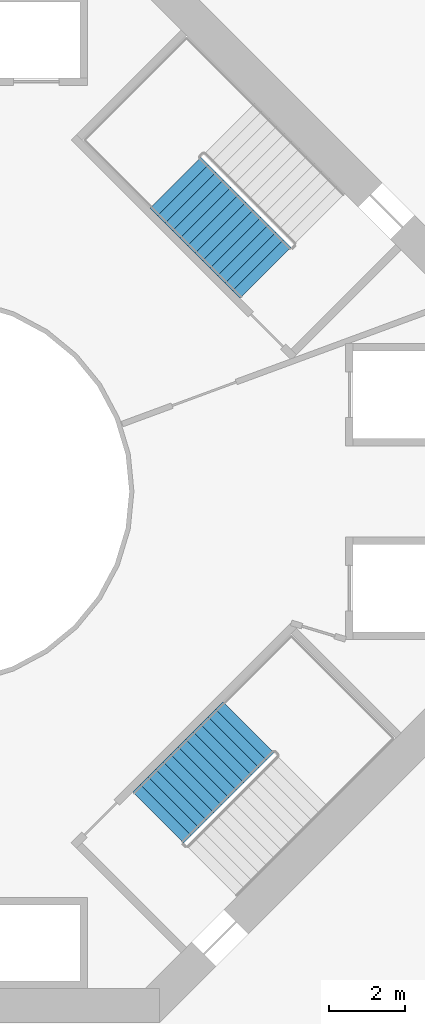
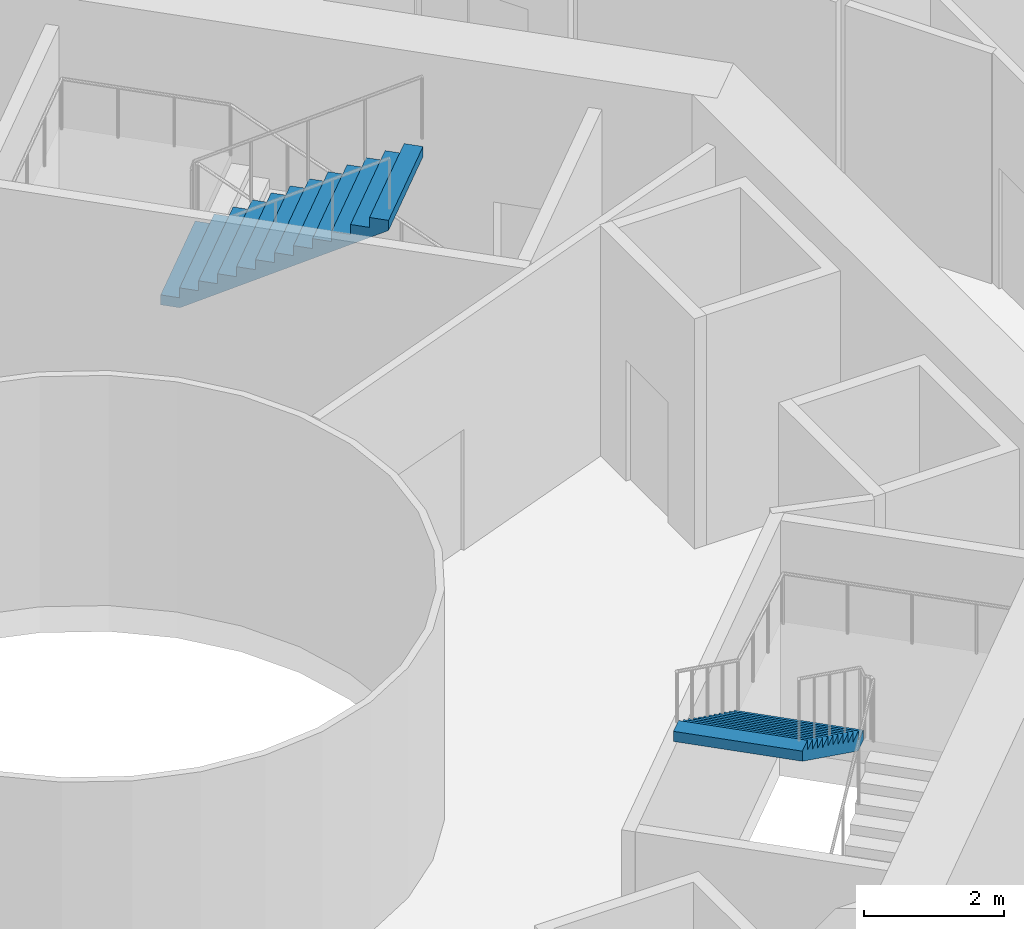
# One storey, part 11 of 20: 2 stair flights, 2 elements without a shape of their own.
"""IFC4 building model written with IfcOpenShell, lengths in metres."""

import ifcopenshell
import ifcopenshell.guid

model = None  # the IFC model being written
_history = None  # IfcOwnerHistory: only IFC2X3 demands one
_inside = {}  # id of a spatial element -> (the spatial element, [elements in it])
_under = {}  # id of a project, library or spatial element -> (it, [spatial elements below it])
_declared = {}  # id of a project -> (the project, [libraries it declares])
_typed = {}  # id of a type object -> (the type object, [elements of that type])
_made_of = {}  # id of a material, layer set ... -> (it, [elements and type objects made of it])


def new_model(schema):
    """Start an empty IFC model of exactly this schema.

    Asked for "IFC4X3", IfcOpenShell would pick the latest addendum, in which some entities
    have other attributes; the version numbers below select the first issue.
    IFC2X3 requires an IfcOwnerHistory on every rooted entity: one is made here for all.
    """
    global model, _history
    if schema == "IFC4X3":
        model = ifcopenshell.file(schema_version=(4, 3, 0, 0))
    else:
        model = ifcopenshell.file(schema=schema)
    _inside.clear()
    _under.clear()
    _declared.clear()
    _typed.clear()
    _made_of.clear()
    _history = None
    if model.schema == "IFC2X3":
        org = make("IfcOrganization", Name="unknown")
        user = make(
            "IfcPersonAndOrganization",
            ThePerson=make("IfcPerson", FamilyName="unknown"),
            TheOrganization=org,
        )
        app = make(
            "IfcApplication",
            ApplicationDeveloper=org,
            Version="unknown",
            ApplicationFullName="unknown",
            ApplicationIdentifier="unknown",
        )
        _history = make(
            "IfcOwnerHistory",
            OwningUser=user,
            OwningApplication=app,
            ChangeAction="ADDED",
            CreationDate=0,
        )
    return model


def make(cls, **values):
    """One entity of the class cls with the attributes given. An attribute that is None is left unset."""
    return model.create_entity(
        cls, **{name: value for name, value in values.items() if value is not None}
    )


def rooted(cls, **values):
    """An entity with a GlobalId (a new one), such as an element, a storey or a relation."""
    return make(cls, GlobalId=ifcopenshell.guid.new(), OwnerHistory=_history, **values)


def si_unit(unit_type, name, prefix=None):
    """IfcSIUnit, for example si_unit("LENGTHUNIT", "METRE", prefix="MILLI")."""
    return make("IfcSIUnit", UnitType=unit_type, Prefix=prefix, Name=name)


def assignment(units):
    """IfcUnitAssignment: the units of a project."""
    return None if units is None else make("IfcUnitAssignment", Units=units)


def point(xyz):
    """IfcCartesianPoint."""
    return None if xyz is None else make("IfcCartesianPoint", Coordinates=xyz)


def direction(xyz):
    """IfcDirection."""
    return None if xyz is None else make("IfcDirection", DirectionRatios=xyz)


def frame(location, z_axis=None, x_axis=None):
    """IfcAxis2Placement3D, a coordinate frame: its origin and axes. An axis left out is left unset."""
    return make(
        "IfcAxis2Placement3D",
        Location=point(location),
        Axis=direction(z_axis),
        RefDirection=direction(x_axis),
    )


def origin():
    """The frame at (0, 0, 0) with its axes left unset."""
    return frame((0.0, 0.0, 0.0))


def place(relative_to, where):
    """IfcLocalPlacement: puts the frame where relative to a parent placement (None: the world)."""
    return make(
        "IfcLocalPlacement", PlacementRelTo=relative_to, RelativePlacement=where
    )


def context(
    kind, dimensions, precision=None, world=None, true_north=None, identifier=None
):
    """IfcGeometricRepresentationContext, for example the 3D "Model" context."""
    return make(
        "IfcGeometricRepresentationContext",
        ContextIdentifier=identifier,
        ContextType=kind,
        CoordinateSpaceDimension=dimensions,
        Precision=precision,
        WorldCoordinateSystem=world,
        TrueNorth=true_north,
    )


def subcontext(parent, identifier, kind, view, scale=None):
    """IfcGeometricRepresentationSubContext, for example "Body" below "Model"."""
    return make(
        "IfcGeometricRepresentationSubContext",
        ContextIdentifier=identifier,
        ContextType=kind,
        ParentContext=parent,
        TargetScale=scale,
        TargetView=view,
    )


def project(units=None, contexts=None):
    """IfcProject with its units and contexts."""
    return rooted(
        "IfcProject",
        Name="project",
        RepresentationContexts=contexts,
        UnitsInContext=assignment(units),
    )


def spatial(cls, under=None, at=None, **own):
    """A site, building, storey or space (cls), placed at a placement, below another one or the project."""
    s = rooted(cls, ObjectPlacement=at, **own)
    if under is not None:
        _under.setdefault(under.id(), (under, []))[1].append(s)
    return s


def point_list(points):
    """IfcCartesianPointList2D or 3D."""
    cls = (
        "IfcCartesianPointList2D" if len(points[0]) == 2 else "IfcCartesianPointList3D"
    )
    return make(cls, CoordList=points)


def triangles(points, corners, closed=None, point_numbers=None):
    """IfcTriangulatedFaceSet: each triangle names its three corners, points numbered from 1."""
    return make(
        "IfcTriangulatedFaceSet",
        Coordinates=point_list(points),
        Closed=closed,
        CoordIndex=corners,
        PnIndex=point_numbers,
    )


def shape(context_of_items, identifier, shape_type, items):
    """IfcShapeRepresentation: the items that make up one representation, for example the "Body"."""
    return make(
        "IfcShapeRepresentation",
        ContextOfItems=context_of_items,
        RepresentationIdentifier=identifier,
        RepresentationType=shape_type,
        Items=items,
    )


def material(Name=None, Category=None):
    """IfcMaterial."""
    return make("IfcMaterial", Name=Name, Category=Category)


def made_of(thing, what):
    """Note that an element or type object is made of a material, layer set ...; save() writes the relation."""
    if what is not None:
        _made_of.setdefault(what.id(), (what, []))[1].append(thing)
    return thing


def type_object(cls, material=None, **own):
    """A type object (cls), such as IfcWallType, which elements share."""
    return made_of(rooted(cls, **own), material)


def element(
    cls,
    number,
    at=None,
    inside=None,
    cuts=None,
    type_object=None,
    material=None,
    context=None,
    identifier="Body",
    shape_type=None,
    held_by="IfcProductDefinitionShape",
    body=None,
    shapes=None,
    **own,
):
    """One element of the class cls, such as IfcWall. Its Tag is "e" and its number.

    at: its placement. inside: the storey or other place that contains it. cuts: it is an
    opening in that element (IfcRelVoidsElement). A single representation is given by context,
    identifier, shape_type and body (its items); several are given by shapes. held_by: the class
    of the entity that holds the representations. save() writes the other relations.
    """
    e = rooted(cls, Tag="e%d" % number, ObjectPlacement=at, **own)
    if body is not None:
        shapes = [shape(context, identifier, shape_type, body)]
    if shapes is not None:
        e.Representation = make(held_by, Representations=shapes)
    if inside is not None:
        _inside.setdefault(inside.id(), (inside, []))[1].append(e)
    if cuts is not None:
        rooted(
            "IfcRelVoidsElement", RelatingBuildingElement=cuts, RelatedOpeningElement=e
        )
    if type_object is not None:
        _typed.setdefault(type_object.id(), (type_object, []))[1].append(e)
    return made_of(e, material)


def aggregate(whole, parts):
    """IfcRelAggregates: a whole, such as a stair, and the parts it consists of."""
    return rooted("IfcRelAggregates", RelatingObject=whole, RelatedObjects=parts)


def save(model, path):
    """Write the relations noted so far, then the file.

    IfcRelAggregates (storeys below a building ...), IfcRelContainedInSpatialStructure (elements
    in a storey), IfcRelDefinesByType, IfcRelAssociatesMaterial and IfcRelDeclares: one each for
    every whole, place, type object, material and project.
    """
    for whole, parts in _under.values():
        aggregate(whole, parts)
    for where, things in _inside.values():
        rooted(
            "IfcRelContainedInSpatialStructure",
            RelatedElements=things,
            RelatingStructure=where,
        )
    for kind, things in _typed.values():
        rooted("IfcRelDefinesByType", RelatedObjects=things, RelatingType=kind)
    for what, things in _made_of.values():
        rooted("IfcRelAssociatesMaterial", RelatedObjects=things, RelatingMaterial=what)
    for by, libraries in _declared.values():
        rooted("IfcRelDeclares", RelatingContext=by, RelatedDefinitions=libraries)
    model.write(path)


model = new_model("IFC4")

# Units and contexts
model_context = context("Model", 3, precision=1e-05, world=origin(), true_north=direction((0.0, 1.0)))
body_context = subcontext(model_context, "Body", "Model", "MODEL_VIEW")
ifc_project = project(units=[si_unit("LENGTHUNIT", "METRE"), si_unit("AREAUNIT", "SQUARE_METRE"), si_unit("VOLUMEUNIT", "CUBIC_METRE"), si_unit("PLANEANGLEUNIT", "RADIAN"), si_unit("MASSUNIT", "GRAM", prefix="KILO")], contexts=[model_context])

# Site, building, storey
site_placement = place(None, origin())
site = spatial("IfcSite", under=ifc_project, at=site_placement, CompositionType="ELEMENT")
building_placement = place(site_placement, origin())
building = spatial("IfcBuilding", under=site, at=building_placement, Name="Verdalira Terraces Hotel", CompositionType="ELEMENT")
storey_placement = place(building_placement, frame((0.0, 0.0, 23.5)))
storey = spatial("IfcBuildingStorey", under=building, at=storey_placement, Name="L04", CompositionType="ELEMENT", Elevation=23.5)

# Stair, stair flight
ifc_material_1 = material(Name="Concrete C40", Category="concrete")
stair_type = type_object("IfcStairType", Name="Core stair 26 risers 1900 mm wide", PredefinedType="HALF_TURN_STAIR", material=ifc_material_1)
stair_1_placement = place(storey_placement, origin())
stair_1 = element("IfcStair", 1, at=stair_1_placement, inside=storey, type_object=stair_type, Name="L04 Exit stair ST1", PredefinedType="HALF_TURN_STAIR")
ifc_material_2 = material(Name="Concrete C40", Category="concrete")
stair_flight_type = type_object("IfcStairFlightType", Name="Core stair flight 26 risers 1900 mm wide", PredefinedType="STRAIGHT", material=ifc_material_2)
stair_flight_1_placement = place(storey_placement, frame((6.215576, 8.138916, 2.25), z_axis=(0.0, 0.0, 1.0), x_axis=(0.707106781, -0.707106781, 0.0)))
stair_flight_1 = element("IfcStairFlight", 2, at=stair_flight_1_placement, type_object=stair_flight_type, Name="ST1 flight 2", NumberOfRisers=13, NumberOfTreads=12, PredefinedType="STRAIGHT", RiserHeight=0.173076923, TreadLength=0.28, context=body_context, shape_type="Tessellation", body=[
    triangles([(0.0, 0.949951, 0.0), (0.285156, 0.949951, 0.0), (3.360107, 0.949951, 1.900635), (0.0, -0.949951, 0.0), (0.285156, -0.949951, 0.0), (3.360107, -0.949951, 1.900635), (3.360107, 0.949951, 2.076904), (3.080078, 0.949951, 2.076904), (3.360107, -0.949951, 2.076904), (3.080078, -0.949951, 2.076904), (3.080078, 0.949951, 1.903809), (3.080078, -0.949951, 1.903809), (2.800049, 0.949951, 1.903809), (2.800049, -0.949951, 1.903809), (2.800049, 0.949951, 1.730713), (2.800049, -0.949951, 1.730713), (2.52002, 0.949951, 1.730713), (2.52002, 0.949951, 1.557617), (2.52002, -0.949951, 1.730713), (2.52002, -0.949951, 1.557617), (2.23999, 0.949951, 1.557617), (2.23999, 0.949951, 1.384521), (2.23999, -0.949951, 1.557617), (2.23999, -0.949951, 1.384521), (1.959961, 0.949951, 1.384521), (1.959961, 0.949951, 1.211426), (1.959961, -0.949951, 1.384521), (1.959961, -0.949951, 1.211426), (1.679932, 0.949951, 1.211426), (1.679932, 0.949951, 1.038574), (1.679932, -0.949951, 1.211426), (1.679932, -0.949951, 1.038574), (1.399902, 0.949951, 1.038574), (1.399902, 0.949951, 0.865479), (1.399902, -0.949951, 1.038574), (1.399902, -0.949951, 0.865479), (1.120117, 0.949951, 0.865479), (1.120117, 0.949951, 0.692383), (1.120117, -0.949951, 0.865479), (1.120117, -0.949951, 0.692383), (0.840088, 0.949951, 0.692383), (0.840088, 0.949951, 0.519287), (0.840088, -0.949951, 0.692383), (0.840088, -0.949951, 0.519287), (0.560059, 0.949951, 0.519287), (0.560059, 0.949951, 0.346191), (0.560059, -0.949951, 0.519287), (0.560059, -0.949951, 0.346191), (0.280029, 0.949951, 0.346191), (0.280029, 0.949951, 0.173096), (0.280029, -0.949951, 0.346191), (0.280029, -0.949951, 0.173096), (0.0, 0.949951, 0.173096), (0.0, -0.949951, 0.173096), (0.0, -0.890579, 0.0), (0.0, -0.890579, 0.173096), (0.0, -0.831207, 0.0), (0.0, -0.831207, 0.173096), (0.0, -0.771835, 0.0), (0.0, -0.771835, 0.173096), (0.0, -0.712463, 0.0), (0.0, -0.712463, 0.173096), (0.0, -0.653091, 0.0), (0.0, -0.653091, 0.173096), (0.0, -0.593719, 0.0), (0.0, -0.593719, 0.173096), (0.0, -0.534348, 0.0), (0.0, -0.534348, 0.173096), (0.0, -0.474976, 0.0), (0.0, -0.474976, 0.173096), (0.0, -0.415604, 0.0), (0.0, -0.415604, 0.173096), (0.0, -0.356232, 0.0), (0.0, -0.356232, 0.173096), (0.0, -0.29686, 0.0), (0.0, -0.29686, 0.173096), (0.0, -0.237488, 0.0), (0.0, -0.237488, 0.173096), (0.0, -0.178116, 0.0), (0.0, -0.178116, 0.173096), (0.0, -0.118744, 0.0), (0.0, -0.118744, 0.173096), (0.0, -0.059372, 0.0), (0.0, -0.059372, 0.173096), (0.0, 0.0, 0.0), (0.0, 0.0, 0.173096), (0.0, 0.059372, 0.0), (0.0, 0.059372, 0.173096), (0.0, 0.118744, 0.0), (0.0, 0.118744, 0.173096), (0.0, 0.178116, 0.0), (0.0, 0.178116, 0.173096), (0.0, 0.237488, 0.0), (0.0, 0.237488, 0.173096), (0.0, 0.29686, 0.0), (0.0, 0.29686, 0.173096), (0.0, 0.356232, 0.0), (0.0, 0.356232, 0.173096), (0.0, 0.415604, 0.0), (0.0, 0.415604, 0.173096), (0.0, 0.474976, 0.0), (0.0, 0.474976, 0.173096), (0.0, 0.534348, 0.0), (0.0, 0.534348, 0.173096), (0.0, 0.593719, 0.0), (0.0, 0.593719, 0.173096), (0.0, 0.653091, 0.0), (0.0, 0.653091, 0.173096), (0.0, 0.712463, 0.0), (0.0, 0.712463, 0.173096), (0.0, 0.771835, 0.0), (0.0, 0.771835, 0.173096), (0.0, 0.831207, 0.0), (0.0, 0.831207, 0.173096), (0.0, 0.890579, 0.0), (0.0, 0.890579, 0.173096), (3.360107, -0.890579, 2.076904), (3.360107, -0.831207, 2.076904), (3.360107, -0.771835, 2.076904), (3.360107, -0.712463, 2.076904), (3.360107, -0.653091, 2.076904), (3.360107, -0.593719, 2.076904), (3.360107, -0.534348, 2.076904), (3.360107, -0.474976, 2.076904), (3.360107, -0.415604, 2.076904), (3.360107, -0.356232, 2.076904), (3.360107, -0.29686, 2.076904), (3.360107, -0.237488, 2.076904), (3.360107, -0.178116, 2.076904), (3.360107, -0.118744, 2.076904), (3.360107, -0.059372, 2.076904), (3.360107, 0.0, 2.076904), (3.360107, 0.059372, 2.076904), (3.360107, 0.118744, 2.076904), (3.360107, 0.178116, 2.076904), (3.360107, 0.237488, 2.076904), (3.360107, 0.29686, 2.076904), (3.360107, 0.356232, 2.076904), (3.360107, 0.415604, 2.076904), (3.360107, 0.474976, 2.076904), (3.360107, 0.534348, 2.076904), (3.360107, 0.593719, 2.076904), (3.360107, 0.653091, 2.076904), (3.360107, 0.712463, 2.076904), (3.360107, 0.771835, 2.076904), (3.360107, 0.831207, 2.076904), (3.360107, 0.890579, 2.076904), (3.360107, -0.890579, 1.900635), (3.360107, -0.831207, 1.900635), (3.360107, -0.771835, 1.900635), (3.360107, -0.712463, 1.900635), (3.360107, -0.653091, 1.900635), (3.360107, -0.593719, 1.900635), (3.360107, -0.534348, 1.900635), (3.360107, -0.474976, 1.900635), (3.360107, -0.415604, 1.900635), (3.360107, -0.356232, 1.900635), (3.360107, -0.29686, 1.900635), (3.360107, -0.237488, 1.900635), (3.360107, -0.178116, 1.900635), (3.360107, -0.118744, 1.900635), (3.360107, -0.059372, 1.900635), (3.360107, 0.0, 1.900635), (3.360107, 0.059372, 1.900635), (3.360107, 0.118744, 1.900635), (3.360107, 0.178116, 1.900635), (3.360107, 0.237488, 1.900635), (3.360107, 0.29686, 1.900635), (3.360107, 0.356232, 1.900635), (3.360107, 0.415604, 1.900635), (3.360107, 0.474976, 1.900635), (3.360107, 0.534348, 1.900635), (3.360107, 0.593719, 1.900635), (3.360107, 0.653091, 1.900635), (3.360107, 0.712463, 1.900635), (3.360107, 0.771835, 1.900635), (3.360107, 0.831207, 1.900635), (3.360107, 0.890579, 1.900635)], [[1, 3, 2], [4, 5, 6], [3, 8, 7], [6, 9, 10], [3, 11, 8], [6, 10, 12], [3, 13, 11], [6, 12, 14], [3, 15, 13], [6, 14, 16], [15, 18, 17], [16, 19, 20], [3, 18, 15], [6, 16, 20], [18, 22, 21], [20, 23, 24], [3, 22, 18], [6, 20, 24], [22, 26, 25], [24, 27, 28], [3, 26, 22], [6, 24, 28], [1, 26, 3], [4, 6, 28], [26, 30, 29], [28, 31, 32], [30, 34, 33], [32, 35, 36], [26, 34, 30], [28, 32, 36], [34, 38, 37], [36, 39, 40], [26, 38, 34], [28, 36, 40], [38, 42, 41], [40, 43, 44], [26, 42, 38], [28, 40, 44], [42, 46, 45], [44, 47, 48], [26, 46, 42], [28, 44, 48], [46, 50, 49], [48, 51, 52], [26, 50, 46], [28, 48, 52], [1, 50, 26], [4, 28, 52], [50, 1, 53], [52, 54, 4], [4, 56, 55], [4, 54, 56], [55, 58, 57], [55, 56, 58], [57, 60, 59], [57, 58, 60], [59, 62, 61], [59, 60, 62], [61, 64, 63], [61, 62, 64], [63, 66, 65], [63, 64, 66], [65, 68, 67], [65, 66, 68], [67, 70, 69], [67, 68, 70], [69, 72, 71], [69, 70, 72], [71, 74, 73], [71, 72, 74], [73, 76, 75], [73, 74, 76], [75, 78, 77], [75, 76, 78], [77, 80, 79], [77, 78, 80], [79, 82, 81], [79, 80, 82], [81, 84, 83], [81, 82, 84], [83, 86, 85], [83, 84, 86], [85, 88, 87], [85, 86, 88], [87, 90, 89], [87, 88, 90], [89, 92, 91], [89, 90, 92], [91, 94, 93], [91, 92, 94], [93, 96, 95], [93, 94, 96], [95, 98, 97], [95, 96, 98], [97, 100, 99], [97, 98, 100], [99, 102, 101], [99, 100, 102], [101, 104, 103], [101, 102, 104], [103, 106, 105], [103, 104, 106], [105, 108, 107], [105, 106, 108], [107, 110, 109], [107, 108, 110], [109, 112, 111], [109, 110, 112], [111, 114, 113], [111, 112, 114], [113, 116, 115], [113, 114, 116], [115, 53, 1], [115, 116, 53], [54, 52, 56], [56, 52, 58], [58, 52, 60], [60, 52, 62], [62, 52, 64], [64, 52, 66], [66, 52, 68], [68, 52, 70], [70, 52, 72], [72, 52, 74], [74, 52, 76], [76, 52, 78], [78, 52, 80], [80, 52, 82], [82, 52, 84], [84, 52, 86], [86, 52, 88], [88, 52, 90], [90, 52, 92], [92, 52, 94], [94, 52, 96], [96, 52, 98], [98, 52, 100], [100, 52, 102], [102, 52, 104], [104, 52, 106], [106, 52, 108], [108, 52, 110], [110, 52, 112], [112, 52, 114], [114, 52, 116], [116, 52, 53], [53, 52, 50], [52, 49, 50], [52, 51, 49], [51, 46, 49], [51, 48, 46], [48, 45, 46], [48, 47, 45], [47, 42, 45], [47, 44, 42], [44, 41, 42], [44, 43, 41], [43, 38, 41], [43, 40, 38], [40, 37, 38], [40, 39, 37], [39, 34, 37], [39, 36, 34], [36, 33, 34], [36, 35, 33], [35, 30, 33], [35, 32, 30], [32, 29, 30], [32, 31, 29], [31, 26, 29], [31, 28, 26], [28, 25, 26], [28, 27, 25], [27, 22, 25], [27, 24, 22], [24, 21, 22], [24, 23, 21], [23, 18, 21], [23, 20, 18], [20, 17, 18], [20, 19, 17], [19, 15, 17], [19, 16, 15], [16, 13, 15], [16, 14, 13], [14, 11, 13], [14, 12, 11], [12, 8, 11], [12, 10, 8], [9, 117, 10], [117, 118, 10], [118, 119, 10], [119, 120, 10], [120, 121, 10], [121, 122, 10], [122, 123, 10], [123, 124, 10], [124, 125, 10], [125, 126, 10], [126, 127, 10], [127, 128, 10], [128, 129, 10], [129, 130, 10], [130, 131, 10], [131, 132, 10], [132, 133, 10], [133, 134, 10], [134, 135, 10], [135, 136, 10], [136, 137, 10], [137, 138, 10], [138, 139, 10], [139, 140, 10], [140, 141, 10], [141, 142, 10], [142, 143, 10], [143, 144, 10], [144, 145, 10], [145, 146, 10], [146, 147, 10], [147, 7, 10], [7, 8, 10], [9, 148, 117], [9, 6, 148], [117, 149, 118], [117, 148, 149], [118, 150, 119], [118, 149, 150], [119, 151, 120], [119, 150, 151], [120, 152, 121], [120, 151, 152], [121, 153, 122], [121, 152, 153], [122, 154, 123], [122, 153, 154], [123, 155, 124], [123, 154, 155], [124, 156, 125], [124, 155, 156], [125, 157, 126], [125, 156, 157], [126, 158, 127], [126, 157, 158], [127, 159, 128], [127, 158, 159], [128, 160, 129], [128, 159, 160], [129, 161, 130], [129, 160, 161], [130, 162, 131], [130, 161, 162], [131, 163, 132], [131, 162, 163], [132, 164, 133], [132, 163, 164], [133, 165, 134], [133, 164, 165], [134, 166, 135], [134, 165, 166], [135, 167, 136], [135, 166, 167], [136, 168, 137], [136, 167, 168], [137, 169, 138], [137, 168, 169], [138, 170, 139], [138, 169, 170], [139, 171, 140], [139, 170, 171], [140, 172, 141], [140, 171, 172], [141, 173, 142], [141, 172, 173], [142, 174, 143], [142, 173, 174], [143, 175, 144], [143, 174, 175], [144, 176, 145], [144, 175, 176], [145, 177, 146], [145, 176, 177], [146, 178, 147], [146, 177, 178], [147, 3, 7], [147, 178, 3], [6, 5, 148], [148, 5, 149], [149, 5, 150], [150, 5, 151], [151, 5, 152], [152, 5, 153], [153, 5, 154], [154, 5, 155], [155, 5, 156], [156, 5, 157], [157, 5, 158], [158, 5, 159], [159, 5, 160], [160, 5, 161], [161, 5, 162], [162, 5, 163], [163, 5, 164], [164, 5, 165], [165, 5, 166], [166, 5, 167], [167, 5, 168], [168, 5, 169], [169, 5, 170], [170, 5, 171], [171, 5, 172], [172, 5, 173], [173, 5, 174], [174, 5, 175], [175, 5, 176], [176, 5, 177], [177, 5, 178], [178, 5, 3], [3, 5, 2], [4, 55, 5], [55, 57, 5], [57, 59, 5], [59, 61, 5], [61, 63, 5], [63, 65, 5], [65, 67, 5], [67, 69, 5], [69, 71, 5], [71, 73, 5], [73, 75, 5], [75, 77, 5], [77, 79, 5], [79, 81, 5], [81, 83, 5], [83, 85, 5], [85, 87, 5], [87, 89, 5], [89, 91, 5], [91, 93, 5], [93, 95, 5], [95, 97, 5], [97, 99, 5], [99, 101, 5], [101, 103, 5], [103, 105, 5], [105, 107, 5], [107, 109, 5], [109, 111, 5], [111, 113, 5], [113, 115, 5], [115, 1, 5], [1, 2, 5]], closed=True),
])
aggregate(stair_1, [stair_flight_1])

stair_2_placement = place(storey_placement, origin())
stair_2 = element("IfcStair", 3, at=stair_2_placement, inside=storey, type_object=stair_type, Name="L04 Exit stair ST3", PredefinedType="HALF_TURN_STAIR")
stair_flight_2_placement = place(storey_placement, frame((8.138916, -6.215576, 2.25), z_axis=(0.0, 0.0, 1.0), x_axis=(-0.707106781, -0.707106781, 0.0)))
stair_flight_2 = element("IfcStairFlight", 4, at=stair_flight_2_placement, type_object=stair_flight_type, Name="ST3 flight 2", NumberOfRisers=13, NumberOfTreads=12, PredefinedType="STRAIGHT", RiserHeight=0.173076923, TreadLength=0.28, context=body_context, shape_type="Tessellation", body=[
    triangles([(0.0, 0.949951, 0.0), (0.285156, 0.949951, 0.0), (3.360107, 0.949951, 1.900635), (0.0, -0.949951, 0.0), (0.285156, -0.949951, 0.0), (3.360107, -0.949951, 1.900635), (3.360107, 0.949951, 2.076904), (3.080078, 0.949951, 2.076904), (3.360107, -0.949951, 2.076904), (3.080078, -0.949951, 2.076904), (3.080078, 0.949951, 1.903809), (3.080078, -0.949951, 1.903809), (2.800049, 0.949951, 1.903809), (2.800049, -0.949951, 1.903809), (2.800049, 0.949951, 1.730713), (2.800049, -0.949951, 1.730713), (2.52002, 0.949951, 1.730713), (2.52002, 0.949951, 1.557617), (2.52002, -0.949951, 1.730713), (2.52002, -0.949951, 1.557617), (2.23999, 0.949951, 1.557617), (2.23999, 0.949951, 1.384521), (2.23999, -0.949951, 1.557617), (2.23999, -0.949951, 1.384521), (1.959961, 0.949951, 1.384521), (1.959961, 0.949951, 1.211426), (1.959961, -0.949951, 1.384521), (1.959961, -0.949951, 1.211426), (1.679932, 0.949951, 1.211426), (1.679932, 0.949951, 1.038574), (1.679932, -0.949951, 1.211426), (1.679932, -0.949951, 1.038574), (1.399902, 0.949951, 1.038574), (1.399902, 0.949951, 0.865479), (1.399902, -0.949951, 1.038574), (1.399902, -0.949951, 0.865479), (1.120117, 0.949951, 0.865479), (1.120117, 0.949951, 0.692383), (1.120117, -0.949951, 0.865479), (1.120117, -0.949951, 0.692383), (0.840088, 0.949951, 0.692383), (0.840088, 0.949951, 0.519287), (0.840088, -0.949951, 0.692383), (0.840088, -0.949951, 0.519287), (0.560059, 0.949951, 0.519287), (0.560059, 0.949951, 0.346191), (0.560059, -0.949951, 0.519287), (0.560059, -0.949951, 0.346191), (0.280029, 0.949951, 0.346191), (0.280029, 0.949951, 0.173096), (0.280029, -0.949951, 0.346191), (0.280029, -0.949951, 0.173096), (0.0, 0.949951, 0.173096), (0.0, -0.949951, 0.173096), (0.0, -0.890579, 0.0), (0.0, -0.890579, 0.173096), (0.0, -0.831207, 0.0), (0.0, -0.831207, 0.173096), (0.0, -0.771835, 0.0), (0.0, -0.771835, 0.173096), (0.0, -0.712463, 0.0), (0.0, -0.712463, 0.173096), (0.0, -0.653091, 0.0), (0.0, -0.653091, 0.173096), (0.0, -0.593719, 0.0), (0.0, -0.593719, 0.173096), (0.0, -0.534348, 0.0), (0.0, -0.534348, 0.173096), (0.0, -0.474976, 0.0), (0.0, -0.474976, 0.173096), (0.0, -0.415604, 0.0), (0.0, -0.415604, 0.173096), (0.0, -0.356232, 0.0), (0.0, -0.356232, 0.173096), (0.0, -0.29686, 0.0), (0.0, -0.29686, 0.173096), (0.0, -0.237488, 0.0), (0.0, -0.237488, 0.173096), (0.0, -0.178116, 0.0), (0.0, -0.178116, 0.173096), (0.0, -0.118744, 0.0), (0.0, -0.118744, 0.173096), (0.0, -0.059372, 0.0), (0.0, -0.059372, 0.173096), (0.0, 0.0, 0.0), (0.0, 0.0, 0.173096), (0.0, 0.059372, 0.0), (0.0, 0.059372, 0.173096), (0.0, 0.118744, 0.0), (0.0, 0.118744, 0.173096), (0.0, 0.178116, 0.0), (0.0, 0.178116, 0.173096), (0.0, 0.237488, 0.0), (0.0, 0.237488, 0.173096), (0.0, 0.29686, 0.0), (0.0, 0.29686, 0.173096), (0.0, 0.356232, 0.0), (0.0, 0.356232, 0.173096), (0.0, 0.415604, 0.0), (0.0, 0.415604, 0.173096), (0.0, 0.474976, 0.0), (0.0, 0.474976, 0.173096), (0.0, 0.534348, 0.0), (0.0, 0.534348, 0.173096), (0.0, 0.593719, 0.0), (0.0, 0.593719, 0.173096), (0.0, 0.653091, 0.0), (0.0, 0.653091, 0.173096), (0.0, 0.712463, 0.0), (0.0, 0.712463, 0.173096), (0.0, 0.771835, 0.0), (0.0, 0.771835, 0.173096), (0.0, 0.831207, 0.0), (0.0, 0.831207, 0.173096), (0.0, 0.890579, 0.0), (0.0, 0.890579, 0.173096), (3.360107, -0.890579, 2.076904), (3.360107, -0.831207, 2.076904), (3.360107, -0.771835, 2.076904), (3.360107, -0.712463, 2.076904), (3.360107, -0.653091, 2.076904), (3.360107, -0.593719, 2.076904), (3.360107, -0.534348, 2.076904), (3.360107, -0.474976, 2.076904), (3.360107, -0.415604, 2.076904), (3.360107, -0.356232, 2.076904), (3.360107, -0.29686, 2.076904), (3.360107, -0.237488, 2.076904), (3.360107, -0.178116, 2.076904), (3.360107, -0.118744, 2.076904), (3.360107, -0.059372, 2.076904), (3.360107, 0.0, 2.076904), (3.360107, 0.059372, 2.076904), (3.360107, 0.118744, 2.076904), (3.360107, 0.178116, 2.076904), (3.360107, 0.237488, 2.076904), (3.360107, 0.29686, 2.076904), (3.360107, 0.356232, 2.076904), (3.360107, 0.415604, 2.076904), (3.360107, 0.474976, 2.076904), (3.360107, 0.534348, 2.076904), (3.360107, 0.593719, 2.076904), (3.360107, 0.653091, 2.076904), (3.360107, 0.712463, 2.076904), (3.360107, 0.771835, 2.076904), (3.360107, 0.831207, 2.076904), (3.360107, 0.890579, 2.076904), (3.360107, -0.890579, 1.900635), (3.360107, -0.831207, 1.900635), (3.360107, -0.771835, 1.900635), (3.360107, -0.712463, 1.900635), (3.360107, -0.653091, 1.900635), (3.360107, -0.593719, 1.900635), (3.360107, -0.534348, 1.900635), (3.360107, -0.474976, 1.900635), (3.360107, -0.415604, 1.900635), (3.360107, -0.356232, 1.900635), (3.360107, -0.29686, 1.900635), (3.360107, -0.237488, 1.900635), (3.360107, -0.178116, 1.900635), (3.360107, -0.118744, 1.900635), (3.360107, -0.059372, 1.900635), (3.360107, 0.0, 1.900635), (3.360107, 0.059372, 1.900635), (3.360107, 0.118744, 1.900635), (3.360107, 0.178116, 1.900635), (3.360107, 0.237488, 1.900635), (3.360107, 0.29686, 1.900635), (3.360107, 0.356232, 1.900635), (3.360107, 0.415604, 1.900635), (3.360107, 0.474976, 1.900635), (3.360107, 0.534348, 1.900635), (3.360107, 0.593719, 1.900635), (3.360107, 0.653091, 1.900635), (3.360107, 0.712463, 1.900635), (3.360107, 0.771835, 1.900635), (3.360107, 0.831207, 1.900635), (3.360107, 0.890579, 1.900635)], [[1, 3, 2], [4, 5, 6], [3, 8, 7], [6, 9, 10], [3, 11, 8], [6, 10, 12], [3, 13, 11], [6, 12, 14], [3, 15, 13], [6, 14, 16], [15, 18, 17], [16, 19, 20], [3, 18, 15], [6, 16, 20], [18, 22, 21], [20, 23, 24], [3, 22, 18], [6, 20, 24], [22, 26, 25], [24, 27, 28], [3, 26, 22], [6, 24, 28], [1, 26, 3], [4, 6, 28], [26, 30, 29], [28, 31, 32], [30, 34, 33], [32, 35, 36], [26, 34, 30], [28, 32, 36], [34, 38, 37], [36, 39, 40], [26, 38, 34], [28, 36, 40], [38, 42, 41], [40, 43, 44], [26, 42, 38], [28, 40, 44], [42, 46, 45], [44, 47, 48], [26, 46, 42], [28, 44, 48], [46, 50, 49], [48, 51, 52], [26, 50, 46], [28, 48, 52], [1, 50, 26], [4, 28, 52], [50, 1, 53], [52, 54, 4], [4, 56, 55], [4, 54, 56], [55, 58, 57], [55, 56, 58], [57, 60, 59], [57, 58, 60], [59, 62, 61], [59, 60, 62], [61, 64, 63], [61, 62, 64], [63, 66, 65], [63, 64, 66], [65, 68, 67], [65, 66, 68], [67, 70, 69], [67, 68, 70], [69, 72, 71], [69, 70, 72], [71, 74, 73], [71, 72, 74], [73, 76, 75], [73, 74, 76], [75, 78, 77], [75, 76, 78], [77, 80, 79], [77, 78, 80], [79, 82, 81], [79, 80, 82], [81, 84, 83], [81, 82, 84], [83, 86, 85], [83, 84, 86], [85, 88, 87], [85, 86, 88], [87, 90, 89], [87, 88, 90], [89, 92, 91], [89, 90, 92], [91, 94, 93], [91, 92, 94], [93, 96, 95], [93, 94, 96], [95, 98, 97], [95, 96, 98], [97, 100, 99], [97, 98, 100], [99, 102, 101], [99, 100, 102], [101, 104, 103], [101, 102, 104], [103, 106, 105], [103, 104, 106], [105, 108, 107], [105, 106, 108], [107, 110, 109], [107, 108, 110], [109, 112, 111], [109, 110, 112], [111, 114, 113], [111, 112, 114], [113, 116, 115], [113, 114, 116], [115, 53, 1], [115, 116, 53], [54, 52, 56], [56, 52, 58], [58, 52, 60], [60, 52, 62], [62, 52, 64], [64, 52, 66], [66, 52, 68], [68, 52, 70], [70, 52, 72], [72, 52, 74], [74, 52, 76], [76, 52, 78], [78, 52, 80], [80, 52, 82], [82, 52, 84], [84, 52, 86], [86, 52, 88], [88, 52, 90], [90, 52, 92], [92, 52, 94], [94, 52, 96], [96, 52, 98], [98, 52, 100], [100, 52, 102], [102, 52, 104], [104, 52, 106], [106, 52, 108], [108, 52, 110], [110, 52, 112], [112, 52, 114], [114, 52, 116], [116, 52, 53], [53, 52, 50], [52, 49, 50], [52, 51, 49], [51, 46, 49], [51, 48, 46], [48, 45, 46], [48, 47, 45], [47, 42, 45], [47, 44, 42], [44, 41, 42], [44, 43, 41], [43, 38, 41], [43, 40, 38], [40, 37, 38], [40, 39, 37], [39, 34, 37], [39, 36, 34], [36, 33, 34], [36, 35, 33], [35, 30, 33], [35, 32, 30], [32, 29, 30], [32, 31, 29], [31, 26, 29], [31, 28, 26], [28, 25, 26], [28, 27, 25], [27, 22, 25], [27, 24, 22], [24, 21, 22], [24, 23, 21], [23, 18, 21], [23, 20, 18], [20, 17, 18], [20, 19, 17], [19, 15, 17], [19, 16, 15], [16, 13, 15], [16, 14, 13], [14, 11, 13], [14, 12, 11], [12, 8, 11], [12, 10, 8], [9, 117, 10], [117, 118, 10], [118, 119, 10], [119, 120, 10], [120, 121, 10], [121, 122, 10], [122, 123, 10], [123, 124, 10], [124, 125, 10], [125, 126, 10], [126, 127, 10], [127, 128, 10], [128, 129, 10], [129, 130, 10], [130, 131, 10], [131, 132, 10], [132, 133, 10], [133, 134, 10], [134, 135, 10], [135, 136, 10], [136, 137, 10], [137, 138, 10], [138, 139, 10], [139, 140, 10], [140, 141, 10], [141, 142, 10], [142, 143, 10], [143, 144, 10], [144, 145, 10], [145, 146, 10], [146, 147, 10], [147, 7, 10], [7, 8, 10], [9, 148, 117], [9, 6, 148], [117, 149, 118], [117, 148, 149], [118, 150, 119], [118, 149, 150], [119, 151, 120], [119, 150, 151], [120, 152, 121], [120, 151, 152], [121, 153, 122], [121, 152, 153], [122, 154, 123], [122, 153, 154], [123, 155, 124], [123, 154, 155], [124, 156, 125], [124, 155, 156], [125, 157, 126], [125, 156, 157], [126, 158, 127], [126, 157, 158], [127, 159, 128], [127, 158, 159], [128, 160, 129], [128, 159, 160], [129, 161, 130], [129, 160, 161], [130, 162, 131], [130, 161, 162], [131, 163, 132], [131, 162, 163], [132, 164, 133], [132, 163, 164], [133, 165, 134], [133, 164, 165], [134, 166, 135], [134, 165, 166], [135, 167, 136], [135, 166, 167], [136, 168, 137], [136, 167, 168], [137, 169, 138], [137, 168, 169], [138, 170, 139], [138, 169, 170], [139, 171, 140], [139, 170, 171], [140, 172, 141], [140, 171, 172], [141, 173, 142], [141, 172, 173], [142, 174, 143], [142, 173, 174], [143, 175, 144], [143, 174, 175], [144, 176, 145], [144, 175, 176], [145, 177, 146], [145, 176, 177], [146, 178, 147], [146, 177, 178], [147, 3, 7], [147, 178, 3], [6, 5, 148], [148, 5, 149], [149, 5, 150], [150, 5, 151], [151, 5, 152], [152, 5, 153], [153, 5, 154], [154, 5, 155], [155, 5, 156], [156, 5, 157], [157, 5, 158], [158, 5, 159], [159, 5, 160], [160, 5, 161], [161, 5, 162], [162, 5, 163], [163, 5, 164], [164, 5, 165], [165, 5, 166], [166, 5, 167], [167, 5, 168], [168, 5, 169], [169, 5, 170], [170, 5, 171], [171, 5, 172], [172, 5, 173], [173, 5, 174], [174, 5, 175], [175, 5, 176], [176, 5, 177], [177, 5, 178], [178, 5, 3], [3, 5, 2], [4, 55, 5], [55, 57, 5], [57, 59, 5], [59, 61, 5], [61, 63, 5], [63, 65, 5], [65, 67, 5], [67, 69, 5], [69, 71, 5], [71, 73, 5], [73, 75, 5], [75, 77, 5], [77, 79, 5], [79, 81, 5], [81, 83, 5], [83, 85, 5], [85, 87, 5], [87, 89, 5], [89, 91, 5], [91, 93, 5], [93, 95, 5], [95, 97, 5], [97, 99, 5], [99, 101, 5], [101, 103, 5], [103, 105, 5], [105, 107, 5], [107, 109, 5], [109, 111, 5], [111, 113, 5], [113, 115, 5], [115, 1, 5], [1, 2, 5]], closed=True),
])
aggregate(stair_2, [stair_flight_2])

save(model, "model.ifc")
